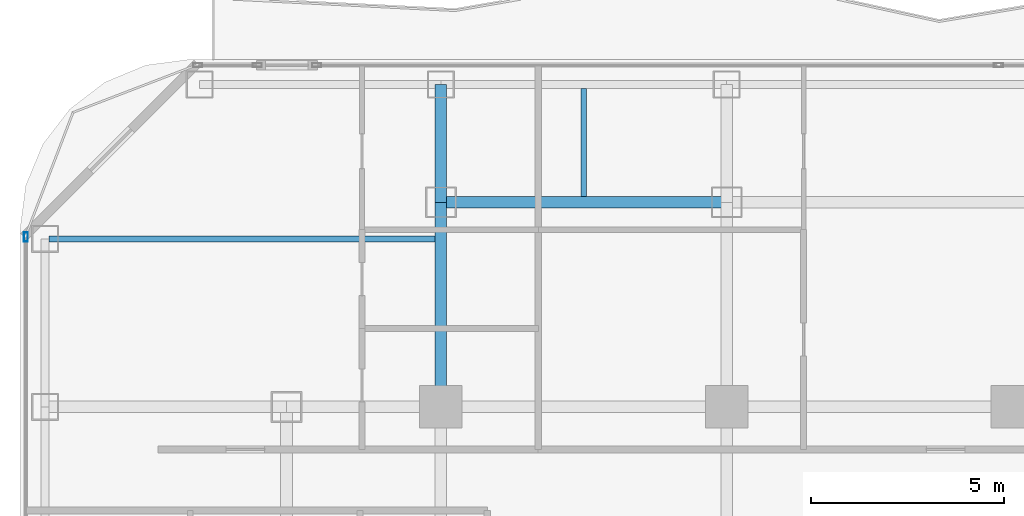
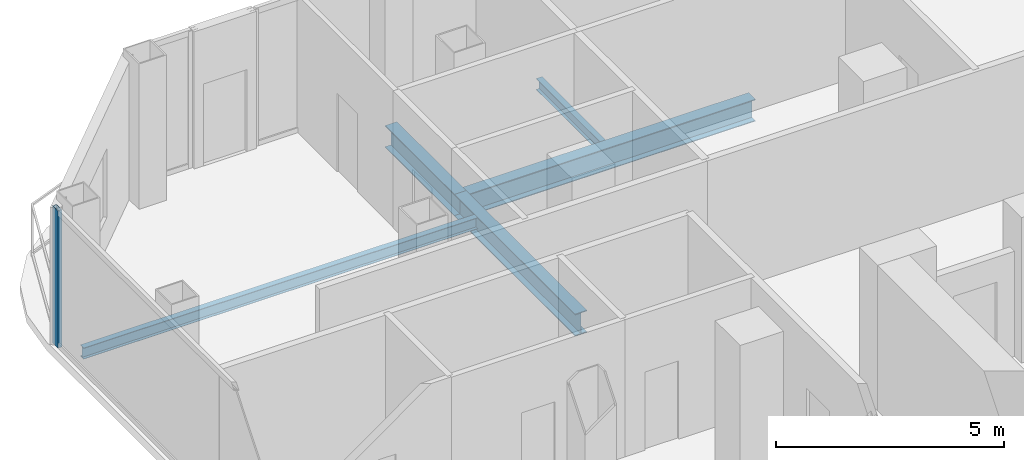
# One storey, part 11 of 26: 5 beams, 1 member, 1 element without a shape of its own.
"""IFC4 building model written with IfcOpenShell, lengths in metres."""

from ifc_helpers import new_model, si_unit, direction, frame, origin, origin_2d, place, context, subcontext, project, spatial, hollow_rectangle, i_section, extrude, material, layer, layer_set, material_profile, profile_set, type_object, element, aggregate, save


model = new_model("IFC4")

# Units and contexts
model_context = context("Model", 3, precision=1e-05, world=origin(), true_north=direction((0.0, 1.0)))
body_context = subcontext(model_context, "Body", "Model", "MODEL_VIEW")
ifc_project = project(units=[si_unit("LENGTHUNIT", "METRE"), si_unit("AREAUNIT", "SQUARE_METRE"), si_unit("VOLUMEUNIT", "CUBIC_METRE"), si_unit("PLANEANGLEUNIT", "RADIAN"), si_unit("MASSUNIT", "GRAM", prefix="KILO")], contexts=[model_context])

# Site, building, storey
site_placement = place(None, origin())
site = spatial("IfcSite", under=ifc_project, at=site_placement, CompositionType="ELEMENT")
building_placement = place(site_placement, origin())
building = spatial("IfcBuilding", under=site, at=building_placement, Name="Khorvyn Point Tower", CompositionType="ELEMENT")
storey_placement = place(building_placement, frame((0.0, 0.0, 183.60009765625)))
storey = spatial("IfcBuildingStorey", under=building, at=storey_placement, Name="L45", CompositionType="ELEMENT", Elevation=183.60009765625)

# Curtain wall, member
ifc_material_1 = material(Name="Anodised aluminium 6063-T6 and laminated Low-E glass", Category="aluminium")
ifc_layer = layer(ifc_material_1, 0.18994140625)
ifc_layer_set = layer_set([ifc_layer], Name="Stick-Built Acoustic Curtain Wall CW-SYS-03")
curtain_wall_type = type_object("IfcCurtainWallType", Name="Stick-Built Acoustic Curtain Wall CW-SYS-03", PredefinedType="NOTDEFINED", material=ifc_layer_set)
curtain_wall_placement = place(storey_placement, origin())
curtain_wall = element("IfcCurtainWall", 1, at=curtain_wall_placement, inside=storey, type_object=curtain_wall_type, Name="Curtain Wall", PredefinedType="NOTDEFINED")
ifc_material_2 = material(Name="Anodised aluminium 6063-T6", Category="aluminium")
ifc_material_profile_1 = material_profile(ifc_material_2, hollow_rectangle(XDim=0.10009765625, YDim=0.239990234375, WallThickness=0.0048828125, at=origin_2d()))
ifc_profile_set_1 = profile_set([ifc_material_profile_1], Name="Anodised aluminium 6063-T6 ALU-MUL-100x240")
member_type = type_object("IfcMemberType", Name="Anodised Aluminium 6063-T6 Mullion ALU-MUL-100x240", PredefinedType="MULLION", material=ifc_profile_set_1)
member_placement = place(storey_placement, frame((-25.550048828125, 19.199951171875, 0.0), z_axis=(0.0, 0.0, 1.0), x_axis=(-1.0, 0.0, 0.0)))
member = element("IfcMember", 2, at=member_placement, type_object=member_type, Name="Transom", PredefinedType="MULLION", context=body_context, shape_type="SweptSolid", body=[
    extrude(hollow_rectangle(XDim=0.10009765625, YDim=0.239990234375, WallThickness=0.0048828125, at=origin_2d()), origin(), (0.0, 0.0, 1.0), 3.679931640625),
])
aggregate(curtain_wall, [member])

# Beams
ifc_material_3 = material(Name="Steel S355", Category="steel")
ifc_material_profile_2 = material_profile(ifc_material_3, i_section(OverallWidth=0.300048828125, OverallDepth=0.587890625, WebThickness=0.011962890625, FlangeThickness=0.02001953125, at=origin_2d()))
ifc_profile_set_2 = profile_set([ifc_material_profile_2], Name="Steel S355 H588x300x12x20")
beam_type_1 = type_object("IfcBeamType", Name="Steel S355 Beam H588x300x12x20", PredefinedType="BEAM", material=ifc_profile_set_2)
beam_1_placement = place(storey_placement, frame((-14.800048828125, 20.10009765625, -0.51416015625), z_axis=(1.0, 0.0, 0.0), x_axis=(0.0, 1.0, 0.0)))
element("IfcBeam", 3, at=beam_1_placement, inside=storey, type_object=beam_type_1, Name="Beam", PredefinedType="BEAM", context=body_context, shape_type="SweptSolid", body=[
    extrude(i_section(OverallWidth=0.300048828125, OverallDepth=0.587890625, WebThickness=0.011962890625, FlangeThickness=0.02001953125, at=origin_2d()), origin(), (0.0, 0.0, 1.0), 7.400146484375),
])
beam_2_placement = place(storey_placement, frame((-14.800048828125, 14.800048828125, -0.51416015625), z_axis=(0.0, 1.0, 0.0), x_axis=(-1.0, 0.0, 0.0)))
element("IfcBeam", 4, at=beam_2_placement, inside=storey, type_object=beam_type_1, Name="Beam", PredefinedType="BEAM", context=body_context, shape_type="SweptSolid", body=[
    extrude(i_section(OverallWidth=0.300048828125, OverallDepth=0.587890625, WebThickness=0.011962890625, FlangeThickness=0.02001953125, at=origin_2d()), origin(), (0.0, 0.0, 1.0), 5.300048828125),
])
beam_3_placement = place(storey_placement, frame((-14.800048828125, 20.10009765625, -0.51416015625), z_axis=(0.0, 1.0, 0.0), x_axis=(-1.0, 0.0, 0.0)))
element("IfcBeam", 5, at=beam_3_placement, inside=storey, type_object=beam_type_1, Name="Beam", PredefinedType="BEAM", context=body_context, shape_type="SweptSolid", body=[
    extrude(i_section(OverallWidth=0.300048828125, OverallDepth=0.587890625, WebThickness=0.011962890625, FlangeThickness=0.02001953125, at=origin_2d()), origin(), (0.0, 0.0, 1.0), 3.0498046875),
])
ifc_material_profile_3 = material_profile(ifc_material_3, i_section(OverallWidth=0.14990234375, OverallDepth=0.300048828125, WebThickness=0.006591796875, FlangeThickness=0.009033203125, at=origin_2d()))
ifc_profile_set_3 = profile_set([ifc_material_profile_3], Name="Steel S355 H300x150x6.5x9")
beam_type_2 = type_object("IfcBeamType", Name="Steel S355 Joist H300x150x6.5x9", PredefinedType="JOIST", material=ifc_profile_set_3)
beam_4_placement = place(storey_placement, frame((-11.10009765625, 20.25, -0.3701171875), z_axis=(0.0, 1.0, 0.0), x_axis=(-1.0, 0.0, 0.0)))
element("IfcBeam", 6, at=beam_4_placement, inside=storey, type_object=beam_type_2, Name="Beam", PredefinedType="JOIST", context=body_context, shape_type="SweptSolid", body=[
    extrude(i_section(OverallWidth=0.14990234375, OverallDepth=0.300048828125, WebThickness=0.006591796875, FlangeThickness=0.009033203125, at=origin_2d()), origin(), (0.0, 0.0, 1.0), 2.800048828125),
])
beam_5_placement = place(storey_placement, frame((-24.949951171875, 19.14990234375, -0.3701171875), z_axis=(1.0, 0.0, 0.0), x_axis=(0.0, 1.0, 0.0)))
element("IfcBeam", 7, at=beam_5_placement, inside=storey, type_object=beam_type_2, Name="Beam", PredefinedType="JOIST", context=body_context, shape_type="SweptSolid", body=[
    extrude(i_section(OverallWidth=0.14990234375, OverallDepth=0.300048828125, WebThickness=0.006591796875, FlangeThickness=0.009033203125, at=origin_2d()), origin(), (0.0, 0.0, 1.0), 10.0),
])

save(model, "model.ifc")
